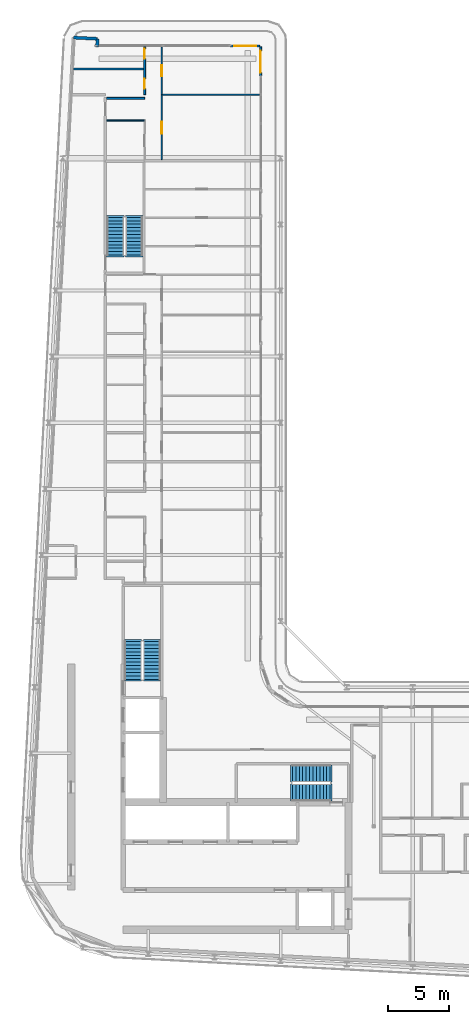
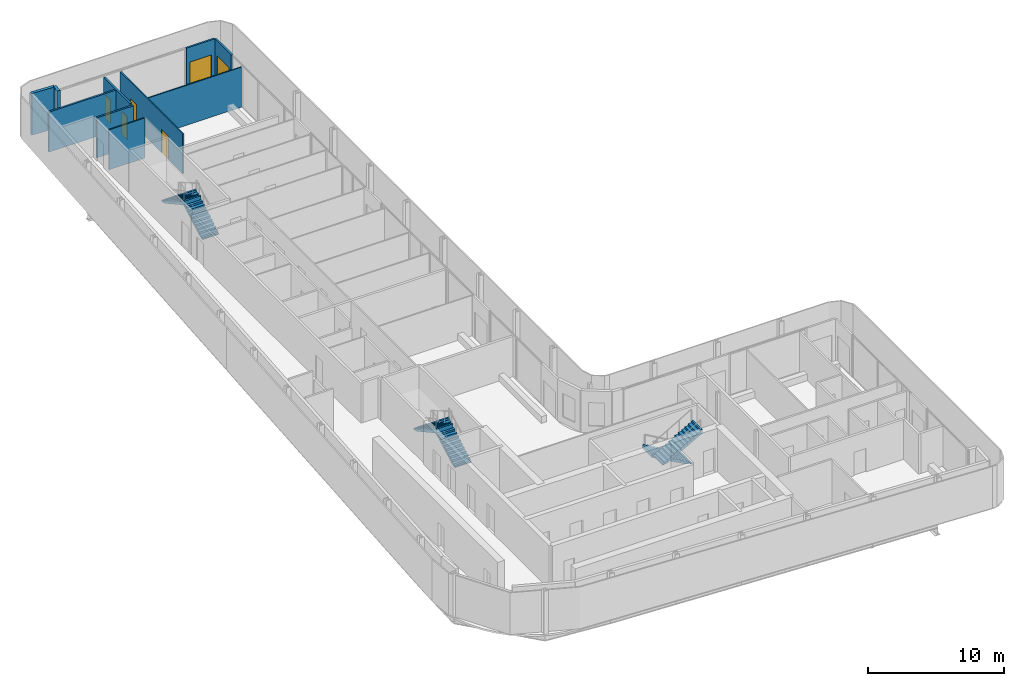
# One storey, part 15 of 21: 10 walls, 6 doors, 6 stair flights, 6 openings, 3 elements without a shape of their own.
"""IFC4 building model written with IfcOpenShell, lengths in metres."""

from ifc_helpers import new_model, si_unit, direction, frame, frame_2d, origin, place, context, subcontext, project, spatial, polyline, rectangle, outline, extrude, source, transform, mapped, material, layer, layer_set, type_object, element, fill, aggregate, save


model = new_model("IFC4")

# Units and contexts
model_context = context("Model", 3, precision=1e-05, world=origin(), true_north=direction((0.0, 1.0)))
body_context = subcontext(model_context, "Body", "Model", "MODEL_VIEW")
ifc_project = project(units=[si_unit("LENGTHUNIT", "METRE"), si_unit("AREAUNIT", "SQUARE_METRE"), si_unit("VOLUMEUNIT", "CUBIC_METRE"), si_unit("PLANEANGLEUNIT", "RADIAN"), si_unit("MASSUNIT", "GRAM", prefix="KILO")], contexts=[model_context])

# Site, building, storey
site_placement = place(None, origin())
site = spatial("IfcSite", under=ifc_project, at=site_placement, CompositionType="ELEMENT")
building_placement = place(site_placement, origin())
building = spatial("IfcBuilding", under=site, at=building_placement, Name="Kheshtan School and Residences Tower", CompositionType="ELEMENT")
storey_placement = place(building_placement, frame((0.0, 0.0, 294.199951171875)))
storey = spatial("IfcBuildingStorey", under=building, at=storey_placement, Name="L69", CompositionType="ELEMENT", Elevation=294.199951171875)

# Walls
ifc_material_1 = material(Name="Concrete C40/50 with ceramic cladding and mineral wool insulation", Category="concrete")
ifc_layer_1 = layer(ifc_material_1, 0.25)
ifc_layer_set_1 = layer_set([ifc_layer_1], Name="External wall 250 ceramic clad")
wall_type_1 = type_object("IfcWallType", Name="External wall 250 ceramic clad", PredefinedType="SOLIDWALL", material=ifc_layer_set_1)
wall_1_placement = place(storey_placement, frame((30.705078125, 98.6640625, 0.0), z_axis=(0.0, 0.0, 1.0), x_axis=(0.998577785791, -0.053314216913, 0.0)))
element("IfcWall", 1, at=wall_1_placement, inside=storey, type_object=wall_type_1, Name="External wall L69 5", PredefinedType="SOLIDWALL", context=body_context, shape_type="SweptSolid", body=[
    extrude(rectangle(XDim=1.95068359375, YDim=0.25, at=frame_2d((0.975341796875, 0.0))), origin(), (0.0, 0.0, 1.0), 3.75),
])
wall_2_placement = place(storey_placement, frame((32.653076171875, 98.56005859375, 0.0), z_axis=(0.0, 0.0, 1.0), x_axis=(-0.054093451632, -0.998535877418, 0.0)))
element("IfcWall", 2, at=wall_2_placement, inside=storey, type_object=wall_type_1, Name="External wall L69 6", PredefinedType="SOLIDWALL", context=body_context, shape_type="SweptSolid", body=[
    extrude(rectangle(XDim=0.66796875, YDim=0.25, at=frame_2d((0.333984375, 0.0))), origin(), (0.0, 0.0, 1.0), 3.75),
])

# Wall, opening, door
ifc_material_2 = material(Name="Aluminium frame wall with insulated infill", Category="aluminium")
ifc_layer_2 = layer(ifc_material_2, 0.14990234375)
ifc_layer_set_2 = layer_set([ifc_layer_2], Name="Glazing frame wall 150")
wall_type_2 = type_object("IfcWallType", Name="Glazing frame wall 150", PredefinedType="SOLIDWALL", material=ifc_layer_set_2)
wall_3_placement = place(storey_placement, frame((43.5, 97.97509765625, 0.0), z_axis=(0.0, 0.0, 1.0), x_axis=(1.0, 0.0, 0.0)))
wall_3 = element("IfcWall", 3, at=wall_3_placement, inside=storey, type_object=wall_type_2, Name="Balcony door wall L69 7.1", PredefinedType="SOLIDWALL", context=body_context, shape_type="SweptSolid", body=[
    extrude(rectangle(XDim=2.39990234375, YDim=0.14990234375, at=frame_2d((1.199951171875, 0.0))), origin(), (0.0, 0.0, 1.0), 3.75),
])
opening_1_placement = place(wall_3_placement, frame((0.300048828125, 0.0, 0.0)))
opening_1 = element("IfcOpeningElement", 4, at=opening_1_placement, cuts=wall_3, Name="Opening BD", PredefinedType="OPENING", context=body_context, shape_type="SweptSolid", body=[
    extrude(rectangle(XDim=1.800048828125, YDim=2.39990234375, at=frame_2d((0.89990234375, 1.199951171875))), frame((0.0, 0.0849609375, 0.0), z_axis=(0.0, -1.0, 0.0), x_axis=(1.0, 0.0, 0.0)), (0.0, 0.0, 1.0), 0.169921875),
])
ifc_material_3 = material(Name="Clear low-e glass in thermally broken aluminium frame", Category="aluminium")
door_type_1 = type_object("IfcDoorType", Name="Balcony sliding door", OperationType="SLIDING_TO_LEFT", PredefinedType="DOOR", material=ifc_material_3)
shared_shape_1 = source(origin(), body_context, "Body", "SweptSolid", [
    extrude(rectangle(XDim=1.800048828125, YDim=2.39990234375, at=frame_2d((0.89990234375, 1.199951171875))), frame((0.0, 0.02490234375, 0.0), z_axis=(0.0, -1.0, 0.0), x_axis=(1.0, 0.0, 0.0)), (0.0, 0.0, 1.0), 0.050048828125),
])
door_1_placement = place(opening_1_placement, origin())
door_1 = element("IfcDoor", 5, at=door_1_placement, inside=storey, type_object=door_type_1, Name="Balcony door L69 7.1", OperationType="SLIDING_TO_LEFT", OverallHeight=2.39990234375, OverallWidth=1.800048828125, PredefinedType="DOOR", context=body_context, shape_type="MappedRepresentation", body=[
    mapped(shared_shape_1, transform((0.0, 0.0, 0.0), x_axis=(1.0, 0.0, 0.0), y_axis=(0.0, 1.0, 0.0), z_axis=(0.0, 0.0, 1.0), scale=1.0)),
])
fill(opening_1, door_1)

wall_4_placement = place(storey_placement, frame((45.97509765625, 97.89990234375, 0.0), z_axis=(0.0, 0.0, 1.0), x_axis=(0.0, -1.0, 0.0)))
wall_4 = element("IfcWall", 6, at=wall_4_placement, inside=storey, type_object=wall_type_2, Name="Balcony door wall L69 8.1", PredefinedType="SOLIDWALL", context=body_context, shape_type="SweptSolid", body=[
    extrude(rectangle(XDim=2.39990234375, YDim=0.14990234375, at=frame_2d((1.199951171875, 0.0))), origin(), (0.0, 0.0, 1.0), 3.75),
])
opening_2_placement = place(wall_4_placement, frame((0.300048828125, 0.0, 0.0)))
opening_2 = element("IfcOpeningElement", 7, at=opening_2_placement, cuts=wall_4, Name="Opening BD", PredefinedType="OPENING", context=body_context, shape_type="SweptSolid", body=[
    extrude(rectangle(XDim=1.800048828125, YDim=2.39990234375, at=frame_2d((0.89990234375, 1.199951171875))), frame((0.0, 0.0849609375, 0.0), z_axis=(0.0, -1.0, 0.0), x_axis=(1.0, 0.0, 0.0)), (0.0, 0.0, 1.0), 0.169921875),
])
door_2_placement = place(opening_2_placement, origin())
door_2 = element("IfcDoor", 8, at=door_2_placement, inside=storey, type_object=door_type_1, Name="Balcony door L69 8.1", OperationType="SLIDING_TO_LEFT", OverallHeight=2.39990234375, OverallWidth=1.800048828125, PredefinedType="DOOR", context=body_context, shape_type="MappedRepresentation", body=[
    mapped(shared_shape_1, transform((0.0, 0.0, 0.0), x_axis=(1.0, 0.0, 0.0), y_axis=(0.0, 1.0, 0.0), z_axis=(0.0, 0.0, 1.0), scale=1.0)),
])
fill(opening_2, door_2)

# Wall
ifc_material_4 = material(Name="Gypsum board on steel studs", Category="steel")
ifc_layer_3 = layer(ifc_material_4, 0.10009765625)
ifc_layer_set_3 = layer_set([ifc_layer_3], Name="Gypsum partition 100")
wall_type_3 = type_object("IfcWallType", Name="Gypsum partition 100", PredefinedType="PARTITIONING", material=ifc_layer_set_3)
wall_5_placement = place(storey_placement, frame((33.39990234375, 91.89990234375, 0.0), z_axis=(0.0, 0.0, 1.0), x_axis=(1.0, 0.0, 0.0)))
element("IfcWall", 9, at=wall_5_placement, inside=storey, type_object=wall_type_3, Name="Partition L69-016", PredefinedType="PARTITIONING", context=body_context, shape_type="SweptSolid", body=[
    extrude(rectangle(XDim=3.050048828125, YDim=0.10009765625, at=frame_2d((1.52490234375, 0.0))), origin(), (0.0, 0.0, 1.0), 3.60009765625),
])

# Wall, openings, doors
wall_6_placement = place(storey_placement, frame((37.89990234375, 88.699951171875, 0.0), z_axis=(0.0, 0.0, 1.0), x_axis=(0.0, 1.0, 0.0)))
wall_6 = element("IfcWall", 10, at=wall_6_placement, inside=storey, type_object=wall_type_3, Name="Partition L69-032", PredefinedType="PARTITIONING", context=body_context, shape_type="SweptSolid", body=[
    extrude(rectangle(XDim=9.199951171875, YDim=0.10009765625, at=frame_2d((4.60009765625, 0.0))), origin(), (0.0, 0.0, 1.0), 3.60009765625),
])
opening_3_placement = place(wall_6_placement, frame((6.800048828125, 0.0, 0.0)))
opening_3 = element("IfcOpeningElement", 11, at=opening_3_placement, cuts=wall_6, Name="Opening D68-032", PredefinedType="OPENING", context=body_context, shape_type="SweptSolid", body=[
    extrude(rectangle(XDim=0.89990234375, YDim=2.10009765625, at=frame_2d((0.449951171875, 1.050048828125))), frame((0.0, 0.06005859375, 0.0), z_axis=(0.0, -1.0, 0.0), x_axis=(1.0, 0.0, 0.0)), (0.0, 0.0, 1.0), 0.1201171875),
])
opening_4_placement = place(wall_6_placement, frame((2.10009765625, 0.0, 0.0)))
opening_4 = element("IfcOpeningElement", 12, at=opening_4_placement, cuts=wall_6, Name="Opening D68-035", PredefinedType="OPENING", context=body_context, shape_type="SweptSolid", body=[
    extrude(rectangle(XDim=1.0, YDim=2.10009765625, at=frame_2d((0.5, 1.050048828125))), frame((0.0, 0.06005859375, 0.0), z_axis=(0.0, -1.0, 0.0), x_axis=(1.0, 0.0, 0.0)), (0.0, 0.0, 1.0), 0.1201171875),
])
ifc_material_5 = material(Name="Veneered timber door leaf", Category="wood")
door_type_2 = type_object("IfcDoorType", Name="Door 1000 x 2100", OperationType="SINGLE_SWING_LEFT", PredefinedType="DOOR", material=ifc_material_5)
shared_shape_2 = source(origin(), body_context, "Body", "SweptSolid", [
    extrude(rectangle(XDim=1.0, YDim=2.10009765625, at=frame_2d((0.5, 1.050048828125))), frame((0.0, 0.02490234375, 0.0), z_axis=(0.0, -1.0, 0.0), x_axis=(1.0, 0.0, 0.0)), (0.0, 0.0, 1.0), 0.050048828125),
])
door_3_placement = place(opening_4_placement, origin())
door_3 = element("IfcDoor", 13, at=door_3_placement, inside=storey, type_object=door_type_2, Name="Door D68-035", OperationType="SINGLE_SWING_LEFT", OverallHeight=2.10009765625, OverallWidth=1.0, PredefinedType="DOOR", context=body_context, shape_type="MappedRepresentation", body=[
    mapped(shared_shape_2, transform((0.0, 0.0, 0.0), x_axis=(1.0, 0.0, 0.0), y_axis=(0.0, 1.0, 0.0), z_axis=(0.0, 0.0, 1.0), scale=1.0)),
])
fill(opening_4, door_3)
door_type_3 = type_object("IfcDoorType", Name="Door 900 x 2100", OperationType="SINGLE_SWING_LEFT", PredefinedType="DOOR", material=ifc_material_5)
shared_shape_3 = source(origin(), body_context, "Body", "SweptSolid", [
    extrude(rectangle(XDim=0.89990234375, YDim=2.10009765625, at=frame_2d((0.449951171875, 1.050048828125))), frame((0.0, 0.02490234375, 0.0), z_axis=(0.0, -1.0, 0.0), x_axis=(1.0, 0.0, 0.0)), (0.0, 0.0, 1.0), 0.050048828125),
])
door_4_placement = place(opening_3_placement, origin())
door_4 = element("IfcDoor", 14, at=door_4_placement, inside=storey, type_object=door_type_3, Name="Door D68-032", OperationType="SINGLE_SWING_RIGHT", OverallHeight=2.10009765625, OverallWidth=0.89990234375, PredefinedType="DOOR", context=body_context, shape_type="MappedRepresentation", body=[
    mapped(shared_shape_3, transform((0.0, 0.0, 0.0), x_axis=(1.0, 0.0, 0.0), y_axis=(0.0, 1.0, 0.0), z_axis=(0.0, 0.0, 1.0), scale=1.0)),
])
fill(opening_3, door_4)

# Walls
wall_7_placement = place(storey_placement, frame((37.949951171875, 94.0, 0.0), z_axis=(0.0, 0.0, 1.0), x_axis=(1.0, 0.0, 0.0)))
element("IfcWall", 15, at=wall_7_placement, inside=storey, type_object=wall_type_3, Name="Partition L69-038", PredefinedType="PARTITIONING", context=body_context, shape_type="SweptSolid", body=[
    extrude(rectangle(XDim=7.949951171875, YDim=0.10009765625, at=frame_2d((3.97509765625, 0.0))), origin(), (0.0, 0.0, 1.0), 3.60009765625),
])
ifc_material_6 = material(Name="Moisture-resistant gypsum board on steel studs", Category="steel")
ifc_layer_4 = layer(ifc_material_6, 0.14990234375)
ifc_layer_set_4 = layer_set([ifc_layer_4], Name="Wet-room partition 150")
wall_type_4 = type_object("IfcWallType", Name="Wet-room partition 150", PredefinedType="PARTITIONING", material=ifc_layer_set_4)
wall_8_placement = place(storey_placement, frame((30.695068359375, 96.10009765625, 0.0), z_axis=(0.0, 0.0, 1.0), x_axis=(1.0, 0.0, 0.0)))
element("IfcWall", 16, at=wall_8_placement, inside=storey, type_object=wall_type_4, Name="Partition L69-001", PredefinedType="PARTITIONING", context=body_context, shape_type="SweptSolid", body=[
    extrude(rectangle(XDim=5.72998046875, YDim=0.14990234375, at=frame_2d((2.864990234375, 0.0))), origin(), (0.0, 0.0, 1.0), 3.60009765625),
])
wall_9_placement = place(storey_placement, frame((33.39990234375, 93.699951171875, 0.0), z_axis=(0.0, 0.0, 1.0), x_axis=(1.0, 0.0, 0.0)))
element("IfcWall", 17, at=wall_9_placement, inside=storey, type_object=wall_type_4, Name="Partition L69-017", PredefinedType="PARTITIONING", context=body_context, shape_type="SweptSolid", body=[
    extrude(rectangle(XDim=3.10009765625, YDim=0.14990234375, at=frame_2d((1.550048828125, 0.0))), origin(), (0.0, 0.0, 1.0), 3.60009765625),
])

# Wall, openings, doors
wall_10_placement = place(storey_placement, frame((36.5, 94.0, 0.0), z_axis=(0.0, 0.0, 1.0), x_axis=(0.0, 1.0, 0.0)))
wall_10 = element("IfcWall", 18, at=wall_10_placement, inside=storey, type_object=wall_type_4, Name="Partition L69-026", PredefinedType="PARTITIONING", context=body_context, shape_type="SweptSolid", body=[
    extrude(rectangle(XDim=3.89990234375, YDim=0.14990234375, at=frame_2d((1.949951171875, 0.0))), origin(), (0.0, 0.0, 1.0), 3.60009765625),
])
opening_5_placement = place(wall_10_placement, frame((0.5, 0.0, 0.0)))
opening_5 = element("IfcOpeningElement", 19, at=opening_5_placement, cuts=wall_10, Name="Opening D68-031", PredefinedType="OPENING", context=body_context, shape_type="SweptSolid", body=[
    extrude(rectangle(XDim=0.800048828125, YDim=2.10009765625, at=frame_2d((0.39990234375, 1.050048828125))), frame((0.0, 0.0849609375, 0.0), z_axis=(0.0, -1.0, 0.0), x_axis=(1.0, 0.0, 0.0)), (0.0, 0.0, 1.0), 0.169921875),
])
opening_6_placement = place(wall_10_placement, frame((2.949951171875, 0.0, 0.0)))
opening_6 = element("IfcOpeningElement", 20, at=opening_6_placement, cuts=wall_10, Name="Opening D68-036", PredefinedType="OPENING", context=body_context, shape_type="SweptSolid", body=[
    extrude(rectangle(XDim=0.800048828125, YDim=2.10009765625, at=frame_2d((0.39990234375, 1.050048828125))), frame((0.0, 0.0849609375, 0.0), z_axis=(0.0, -1.0, 0.0), x_axis=(1.0, 0.0, 0.0)), (0.0, 0.0, 1.0), 0.169921875),
])
door_type_4 = type_object("IfcDoorType", Name="Door 800 x 2100", OperationType="SINGLE_SWING_LEFT", PredefinedType="DOOR", material=ifc_material_5)
shared_shape_4 = source(origin(), body_context, "Body", "SweptSolid", [
    extrude(rectangle(XDim=0.800048828125, YDim=2.10009765625, at=frame_2d((0.39990234375, 1.050048828125))), frame((0.0, 0.02490234375, 0.0), z_axis=(0.0, -1.0, 0.0), x_axis=(1.0, 0.0, 0.0)), (0.0, 0.0, 1.0), 0.050048828125),
])
door_5_placement = place(opening_5_placement, origin())
door_5 = element("IfcDoor", 21, at=door_5_placement, inside=storey, type_object=door_type_4, Name="Door D68-031", OperationType="SINGLE_SWING_LEFT", OverallHeight=2.10009765625, OverallWidth=0.800048828125, PredefinedType="DOOR", context=body_context, shape_type="MappedRepresentation", body=[
    mapped(shared_shape_4, transform((0.0, 0.0, 0.0), x_axis=(1.0, 0.0, 0.0), y_axis=(0.0, 1.0, 0.0), z_axis=(0.0, 0.0, 1.0), scale=1.0)),
])
fill(opening_5, door_5)
door_6_placement = place(opening_6_placement, origin())
door_6 = element("IfcDoor", 22, at=door_6_placement, inside=storey, type_object=door_type_4, Name="Door D68-036", OperationType="SINGLE_SWING_LEFT", OverallHeight=2.10009765625, OverallWidth=0.800048828125, PredefinedType="DOOR", context=body_context, shape_type="MappedRepresentation", body=[
    mapped(shared_shape_4, transform((0.0, 0.0, 0.0), x_axis=(1.0, 0.0, 0.0), y_axis=(0.0, 1.0, 0.0), z_axis=(0.0, 0.0, 1.0), scale=1.0)),
])
fill(opening_6, door_6)

# Stair, stair flights
ifc_material_7 = material(Name="Concrete C40/50", Category="concrete")
stair_type = type_object("IfcStairType", Name="Exit stair, half-turn", PredefinedType="HALF_TURN_STAIR", material=ifc_material_7)
stair_1_placement = place(storey_placement, origin())
stair_1 = element("IfcStair", 23, at=stair_1_placement, inside=storey, type_object=stair_type, Name="L69 Protected Exit Stair ST1", PredefinedType="HALF_TURN_STAIR")
ifc_layer_5 = layer(ifc_material_7, 0.14990234375)
ifc_layer_set_5 = layer_set([ifc_layer_5], Name="Stair flight 1400 Concrete C40/50")
stair_flight_type = type_object("IfcStairFlightType", Name="Stair flight 1400 Concrete C40/50", PredefinedType="STRAIGHT", material=ifc_layer_set_5)
stair_flight_1_placement = place(storey_placement, frame((51.64990234375, 38.550048828125, 0.0), z_axis=(0.0, 0.0, 1.0), x_axis=(-1.0, 0.0, 0.0)))
stair_flight_1 = element("IfcStairFlight", 24, at=stair_flight_1_placement, type_object=stair_flight_type, Name="ST1 flight 1", NumberOfRisers=12, NumberOfTreads=11, PredefinedType="STRAIGHT", RiserHeight=0.1625, TreadLength=0.28, context=body_context, shape_type="SweptSolid", body=[
    extrude(outline(polyline([(-0.14990234375, -0.10009765625), (-0.14990234375, 0.0), (0.0, 0.0), (0.0, 0.16259765625), (0.280029296875, 0.16259765625), (0.280029296875, 0.324951171875), (0.56005859375, 0.324951171875), (0.56005859375, 0.487548828125), (0.840087890625, 0.487548828125), (0.840087890625, 0.64990234375), (1.1201171875, 0.64990234375), (1.1201171875, 0.8125), (1.39990234375, 0.8125), (1.39990234375, 0.97509765625), (1.679931640625, 0.97509765625), (1.679931640625, 1.137451171875), (1.9599609375, 1.137451171875), (1.9599609375, 1.300048828125), (2.239990234375, 1.300048828125), (2.239990234375, 1.46240234375), (2.52001953125, 1.46240234375), (2.52001953125, 1.625), (2.800048828125, 1.625), (2.800048828125, 1.78759765625), (3.080078125, 1.78759765625), (3.080078125, 1.949951171875), (3.080078125, 1.969970703125), (3.22998046875, 1.969970703125), (3.22998046875, 1.6142578125), (0.298583984375, 0.0), (-0.14990234375, -0.10009765625)])), frame((0.0, 0.699951171875, 0.0), z_axis=(0.0, -1.0, 0.0), x_axis=(1.0, 0.0, 0.0)), (0.0, 0.0, 1.0), 1.39990234375),
])
stair_flight_2_placement = place(storey_placement, frame((48.570068359375, 37.0, 1.949951171875), z_axis=(0.0, 0.0, 1.0), x_axis=(1.0, 0.0, 0.0)))
stair_flight_2 = element("IfcStairFlight", 25, at=stair_flight_2_placement, type_object=stair_flight_type, Name="ST1 flight 2", NumberOfRisers=12, NumberOfTreads=11, PredefinedType="STRAIGHT", RiserHeight=0.1625, TreadLength=0.28, context=body_context, shape_type="SweptSolid", body=[
    extrude(outline(polyline([(-0.14990234375, -0.10009765625), (-0.14990234375, 0.0), (0.0, 0.0), (0.0, 0.16259765625), (0.280029296875, 0.16259765625), (0.280029296875, 0.324951171875), (0.56005859375, 0.324951171875), (0.56005859375, 0.487548828125), (0.840087890625, 0.487548828125), (0.840087890625, 0.64990234375), (1.1201171875, 0.64990234375), (1.1201171875, 0.8125), (1.39990234375, 0.8125), (1.39990234375, 0.97509765625), (1.679931640625, 0.97509765625), (1.679931640625, 1.137451171875), (1.9599609375, 1.137451171875), (1.9599609375, 1.300048828125), (2.239990234375, 1.300048828125), (2.239990234375, 1.46240234375), (2.52001953125, 1.46240234375), (2.52001953125, 1.625), (2.800048828125, 1.625), (2.800048828125, 1.78759765625), (3.080078125, 1.78759765625), (3.080078125, 1.949951171875), (3.080078125, 1.969970703125), (3.22998046875, 1.969970703125), (3.22998046875, 1.6142578125), (0.298583984375, 0.0), (-0.14990234375, -0.10009765625)])), frame((0.0, 0.699951171875, 0.0), z_axis=(0.0, -1.0, 0.0), x_axis=(1.0, 0.0, 0.0)), (0.0, 0.0, 1.0), 1.39990234375),
])
aggregate(stair_1, [stair_flight_1, stair_flight_2])

stair_2_placement = place(storey_placement, origin())
stair_2 = element("IfcStair", 26, at=stair_2_placement, inside=storey, type_object=stair_type, Name="L69 Protected Exit Stair ST2", PredefinedType="HALF_TURN_STAIR")
stair_flight_3_placement = place(storey_placement, frame((37.10009765625, 46.25, 0.0), z_axis=(0.0, 0.0, 1.0), x_axis=(0.0, 1.0, 0.0)))
stair_flight_3 = element("IfcStairFlight", 27, at=stair_flight_3_placement, type_object=stair_flight_type, Name="ST2 flight 1", NumberOfRisers=12, NumberOfTreads=11, PredefinedType="STRAIGHT", RiserHeight=0.1625, TreadLength=0.28, context=body_context, shape_type="SweptSolid", body=[
    extrude(outline(polyline([(-0.14990234375, -0.10009765625), (-0.14990234375, 0.0), (0.0, 0.0), (0.0, 0.16259765625), (0.280029296875, 0.16259765625), (0.280029296875, 0.324951171875), (0.56005859375, 0.324951171875), (0.56005859375, 0.487548828125), (0.840087890625, 0.487548828125), (0.840087890625, 0.64990234375), (1.1201171875, 0.64990234375), (1.1201171875, 0.8125), (1.39990234375, 0.8125), (1.39990234375, 0.97509765625), (1.679931640625, 0.97509765625), (1.679931640625, 1.137451171875), (1.9599609375, 1.137451171875), (1.9599609375, 1.300048828125), (2.239990234375, 1.300048828125), (2.239990234375, 1.46240234375), (2.52001953125, 1.46240234375), (2.52001953125, 1.625), (2.800048828125, 1.625), (2.800048828125, 1.78759765625), (3.080078125, 1.78759765625), (3.080078125, 1.949951171875), (3.080078125, 1.969970703125), (3.22998046875, 1.969970703125), (3.22998046875, 1.6142578125), (0.298583984375, 0.0), (-0.14990234375, -0.10009765625)])), frame((0.0, 0.699951171875, 0.0), z_axis=(0.0, -1.0, 0.0), x_axis=(1.0, 0.0, 0.0)), (0.0, 0.0, 1.0), 1.39990234375),
])
stair_flight_4_placement = place(storey_placement, frame((35.550048828125, 49.330078125, 1.949951171875), z_axis=(0.0, 0.0, 1.0), x_axis=(0.0, -1.0, 0.0)))
stair_flight_4 = element("IfcStairFlight", 28, at=stair_flight_4_placement, type_object=stair_flight_type, Name="ST2 flight 2", NumberOfRisers=12, NumberOfTreads=11, PredefinedType="STRAIGHT", RiserHeight=0.1625, TreadLength=0.28, context=body_context, shape_type="SweptSolid", body=[
    extrude(outline(polyline([(-0.14990234375, -0.10009765625), (-0.14990234375, 0.0), (0.0, 0.0), (0.0, 0.16259765625), (0.280029296875, 0.16259765625), (0.280029296875, 0.324951171875), (0.56005859375, 0.324951171875), (0.56005859375, 0.487548828125), (0.840087890625, 0.487548828125), (0.840087890625, 0.64990234375), (1.1201171875, 0.64990234375), (1.1201171875, 0.8125), (1.39990234375, 0.8125), (1.39990234375, 0.97509765625), (1.679931640625, 0.97509765625), (1.679931640625, 1.137451171875), (1.9599609375, 1.137451171875), (1.9599609375, 1.300048828125), (2.239990234375, 1.300048828125), (2.239990234375, 1.46240234375), (2.52001953125, 1.46240234375), (2.52001953125, 1.625), (2.800048828125, 1.625), (2.800048828125, 1.78759765625), (3.080078125, 1.78759765625), (3.080078125, 1.949951171875), (3.080078125, 1.969970703125), (3.22998046875, 1.969970703125), (3.22998046875, 1.6142578125), (0.298583984375, 0.0), (-0.14990234375, -0.10009765625)])), frame((0.0, 0.699951171875, 0.0), z_axis=(0.0, -1.0, 0.0), x_axis=(1.0, 0.0, 0.0)), (0.0, 0.0, 1.0), 1.39990234375),
])
aggregate(stair_2, [stair_flight_3, stair_flight_4])

stair_3_placement = place(storey_placement, origin())
stair_3 = element("IfcStair", 29, at=stair_3_placement, inside=storey, type_object=stair_type, Name="L69 Protected Exit Stair ST3", PredefinedType="HALF_TURN_STAIR")
stair_flight_5_placement = place(storey_placement, frame((35.64990234375, 80.89990234375, 0.0), z_axis=(0.0, 0.0, 1.0), x_axis=(0.0, 1.0, 0.0)))
stair_flight_5 = element("IfcStairFlight", 30, at=stair_flight_5_placement, type_object=stair_flight_type, Name="ST3 flight 1", NumberOfRisers=12, NumberOfTreads=11, PredefinedType="STRAIGHT", RiserHeight=0.1625, TreadLength=0.28, context=body_context, shape_type="SweptSolid", body=[
    extrude(outline(polyline([(-0.14990234375, -0.10009765625), (-0.14990234375, 0.0), (0.0, 0.0), (0.0, 0.16259765625), (0.280029296875, 0.16259765625), (0.280029296875, 0.324951171875), (0.56005859375, 0.324951171875), (0.56005859375, 0.487548828125), (0.840087890625, 0.487548828125), (0.840087890625, 0.64990234375), (1.1201171875, 0.64990234375), (1.1201171875, 0.8125), (1.39990234375, 0.8125), (1.39990234375, 0.97509765625), (1.679931640625, 0.97509765625), (1.679931640625, 1.137451171875), (1.9599609375, 1.137451171875), (1.9599609375, 1.300048828125), (2.239990234375, 1.300048828125), (2.239990234375, 1.46240234375), (2.52001953125, 1.46240234375), (2.52001953125, 1.625), (2.800048828125, 1.625), (2.800048828125, 1.78759765625), (3.080078125, 1.78759765625), (3.080078125, 1.949951171875), (3.080078125, 1.969970703125), (3.22998046875, 1.969970703125), (3.22998046875, 1.6142578125), (0.298583984375, 0.0), (-0.14990234375, -0.10009765625)])), frame((0.0, 0.699951171875, 0.0), z_axis=(0.0, -1.0, 0.0), x_axis=(1.0, 0.0, 0.0)), (0.0, 0.0, 1.0), 1.39990234375),
])
stair_flight_6_placement = place(storey_placement, frame((34.10009765625, 83.97998046875, 1.949951171875), z_axis=(0.0, 0.0, 1.0), x_axis=(0.0, -1.0, 0.0)))
stair_flight_6 = element("IfcStairFlight", 31, at=stair_flight_6_placement, type_object=stair_flight_type, Name="ST3 flight 2", NumberOfRisers=12, NumberOfTreads=11, PredefinedType="STRAIGHT", RiserHeight=0.1625, TreadLength=0.28, context=body_context, shape_type="SweptSolid", body=[
    extrude(outline(polyline([(-0.14990234375, -0.10009765625), (-0.14990234375, 0.0), (0.0, 0.0), (0.0, 0.16259765625), (0.280029296875, 0.16259765625), (0.280029296875, 0.324951171875), (0.56005859375, 0.324951171875), (0.56005859375, 0.487548828125), (0.840087890625, 0.487548828125), (0.840087890625, 0.64990234375), (1.1201171875, 0.64990234375), (1.1201171875, 0.8125), (1.39990234375, 0.8125), (1.39990234375, 0.97509765625), (1.679931640625, 0.97509765625), (1.679931640625, 1.137451171875), (1.9599609375, 1.137451171875), (1.9599609375, 1.300048828125), (2.239990234375, 1.300048828125), (2.239990234375, 1.46240234375), (2.52001953125, 1.46240234375), (2.52001953125, 1.625), (2.800048828125, 1.625), (2.800048828125, 1.78759765625), (3.080078125, 1.78759765625), (3.080078125, 1.949951171875), (3.080078125, 1.969970703125), (3.22998046875, 1.969970703125), (3.22998046875, 1.6142578125), (0.298583984375, 0.0), (-0.14990234375, -0.10009765625)])), frame((0.0, 0.699951171875, 0.0), z_axis=(0.0, -1.0, 0.0), x_axis=(1.0, 0.0, 0.0)), (0.0, 0.0, 1.0), 1.39990234375),
])
aggregate(stair_3, [stair_flight_5, stair_flight_6])

save(model, "model.ifc")
